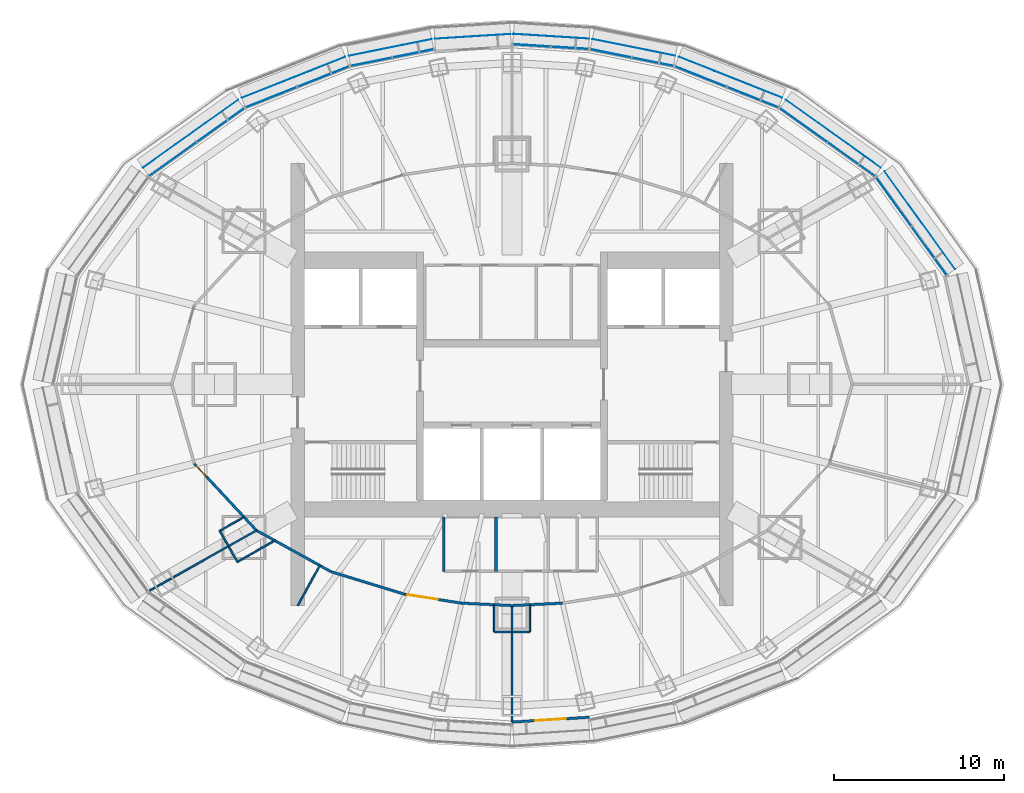
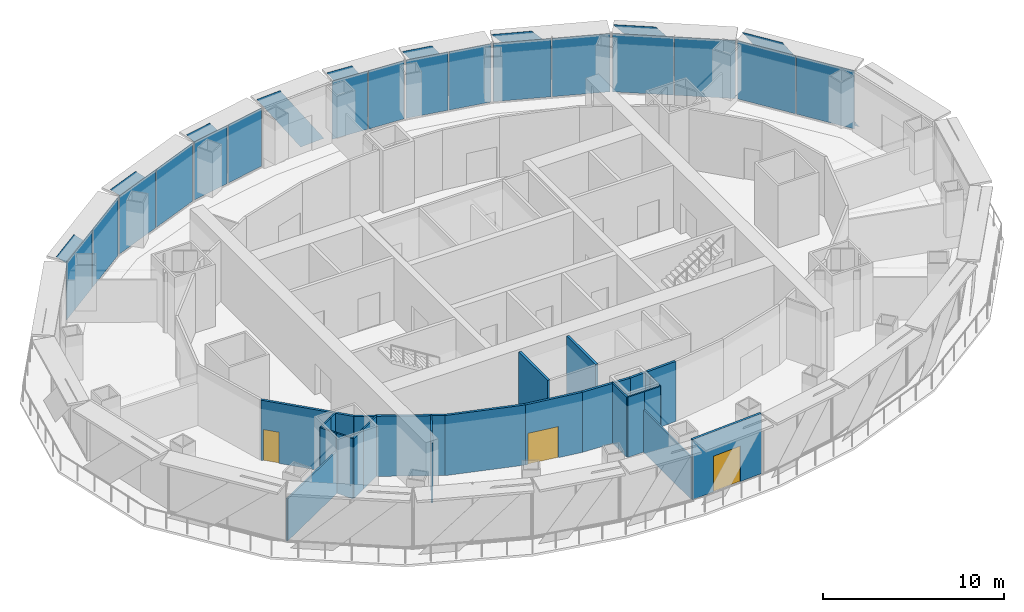
# One storey, part 10 of 17: 25 plates, 23 walls, 3 doors, 3 openings, 8 elements without a shape of their own.
"""IFC4 building model written with IfcOpenShell, lengths in metres."""

from ifc_helpers import new_model, si_unit, direction, frame, frame_2d, origin, origin_2d, place, context, subcontext, project, spatial, polyline, rectangle, outline, extrude, material, layer, layer_set, type_object, element, fill, aggregate, save


model = new_model("IFC4")

# Units and contexts
model_context = context("Model", 3, precision=1e-05, world=origin(), true_north=direction((0.0, 1.0)))
body_context = subcontext(model_context, "Body", "Model", "MODEL_VIEW")
ifc_project = project(units=[si_unit("LENGTHUNIT", "METRE"), si_unit("AREAUNIT", "SQUARE_METRE"), si_unit("VOLUMEUNIT", "CUBIC_METRE"), si_unit("PLANEANGLEUNIT", "RADIAN"), si_unit("MASSUNIT", "GRAM", prefix="KILO")], contexts=[model_context])

# Site, building, storey
site_placement = place(None, origin())
site = spatial("IfcSite", under=ifc_project, at=site_placement, CompositionType="ELEMENT")
building_placement = place(site_placement, origin())
building = spatial("IfcBuilding", under=site, at=building_placement, Name="Lantaw Convention Tower", CompositionType="ELEMENT")
storey_placement = place(building_placement, frame((0.0, 0.0, 199.0)))
storey = spatial("IfcBuildingStorey", under=building, at=storey_placement, Name="L46", CompositionType="ELEMENT", Elevation=199.0)

# Curtain wall, plates
ifc_material_1 = material(Name="Aluminium framed curtain wall", Category="aluminium")
curtain_wall_type = type_object("IfcCurtainWallType", Name="Office curtain wall high rise, pale aluminium", PredefinedType="USERDEFINED", material=ifc_material_1)
curtain_wall_1_placement = place(storey_placement, origin())
curtain_wall_1 = element("IfcCurtainWall", 1, at=curtain_wall_1_placement, inside=storey, type_object=curtain_wall_type, Name="Office curtain wall high rise, pale aluminium L46", ObjectType="UNITISED CURTAIN WALL", PredefinedType="USERDEFINED")
ifc_material_2 = material(Name="Clear insulating glass", Category="glass")
ifc_layer_1 = layer(ifc_material_2, 0.028076171875)
ifc_layer_set_1 = layer_set([ifc_layer_1], Name="CW-O2 panel 28")
plate_type_1 = type_object("IfcPlateType", Name="CW-O2 panel 28", PredefinedType="CURTAIN_PANEL", material=ifc_layer_set_1)
plate_1_placement = place(storey_placement, frame((24.527099609375, 7.852294921875, 0.06494140625), z_axis=(0.0, 0.0, 1.0), x_axis=(-0.585157643865, 0.810919559405, 0.0)))
plate_1 = element("IfcPlate", 2, at=plate_1_placement, type_object=plate_type_1, Name="CW-O2 panel 1.1", PredefinedType="CURTAIN_PANEL", context=body_context, shape_type="SweptSolid", body=[
    extrude(rectangle(XDim=3.500732421875, YDim=0.028076171875, at=origin_2d()), origin(), (0.0, 0.0, 1.0), 3.919921875),
])
plate_2_placement = place(storey_placement, frame((22.4404296875, 10.743896484375, 0.06494140625), z_axis=(0.0, 0.0, 1.0), x_axis=(-0.585157643865, 0.810919559405, 0.0)))
plate_2 = element("IfcPlate", 3, at=plate_2_placement, type_object=plate_type_1, Name="CW-O2 panel 2.1", PredefinedType="CURTAIN_PANEL", context=body_context, shape_type="SweptSolid", body=[
    extrude(rectangle(XDim=3.500732421875, YDim=0.028076171875, at=origin_2d()), origin(), (0.0, 0.0, 1.0), 3.919921875),
])
aggregate(curtain_wall_1, [plate_1, plate_2])

curtain_wall_2_placement = place(storey_placement, origin())
curtain_wall_2 = element("IfcCurtainWall", 4, at=curtain_wall_2_placement, inside=storey, type_object=curtain_wall_type, Name="Office curtain wall high rise, pale aluminium L46", ObjectType="UNITISED CURTAIN WALL", PredefinedType="USERDEFINED")
plate_3_placement = place(storey_placement, frame((19.947509765625, 13.23828125, 0.06494140625), z_axis=(0.0, 0.0, 1.0), x_axis=(-0.813672540482, 0.581323487281, 0.0)))
plate_3 = element("IfcPlate", 5, at=plate_3_placement, type_object=plate_type_1, Name="CW-O2 panel 1.1", PredefinedType="CURTAIN_PANEL", context=body_context, shape_type="SweptSolid", body=[
    extrude(rectangle(XDim=3.386474609375, YDim=0.028076171875, at=origin_2d()), origin(), (0.0, 0.0, 1.0), 3.919921875),
])
plate_4_placement = place(storey_placement, frame((17.13916015625, 15.24462890625, 0.06494140625), z_axis=(0.0, 0.0, 1.0), x_axis=(-0.813672540482, 0.581323487281, 0.0)))
plate_4 = element("IfcPlate", 6, at=plate_4_placement, type_object=plate_type_1, Name="CW-O2 panel 2.1", PredefinedType="CURTAIN_PANEL", context=body_context, shape_type="SweptSolid", body=[
    extrude(rectangle(XDim=3.386474609375, YDim=0.028076171875, at=origin_2d()), origin(), (0.0, 0.0, 1.0), 3.919921875),
])
aggregate(curtain_wall_2, [plate_3, plate_4])

curtain_wall_3_placement = place(storey_placement, origin())
curtain_wall_3 = element("IfcCurtainWall", 7, at=curtain_wall_3_placement, inside=storey, type_object=curtain_wall_type, Name="Office curtain wall high rise, pale aluminium L46", ObjectType="UNITISED CURTAIN WALL", PredefinedType="USERDEFINED")
plate_5_placement = place(storey_placement, frame((14.14990234375, 16.8837890625, 0.06494140625), z_axis=(0.0, 0.0, 1.0), x_axis=(-0.929761533743, 0.368162315252, 0.0)))
plate_5 = element("IfcPlate", 8, at=plate_5_placement, type_object=plate_type_1, Name="CW-O2 panel 1.1", PredefinedType="CURTAIN_PANEL", context=body_context, shape_type="SweptSolid", body=[
    extrude(rectangle(XDim=3.222900390625, YDim=0.028076171875, at=origin_2d()), origin(), (0.0, 0.0, 1.0), 3.919921875),
])
plate_6_placement = place(storey_placement, frame((11.0927734375, 18.094482421875, 0.06494140625), z_axis=(0.0, 0.0, 1.0), x_axis=(-0.929761533743, 0.368162315252, 0.0)))
plate_6 = element("IfcPlate", 9, at=plate_6_placement, type_object=plate_type_1, Name="CW-O2 panel 2.1", PredefinedType="CURTAIN_PANEL", context=body_context, shape_type="SweptSolid", body=[
    extrude(rectangle(XDim=3.222900390625, YDim=0.028076171875, at=origin_2d()), origin(), (0.0, 0.0, 1.0), 3.919921875),
])
aggregate(curtain_wall_3, [plate_5, plate_6])

curtain_wall_4_placement = place(storey_placement, origin())
curtain_wall_4 = element("IfcCurtainWall", 10, at=curtain_wall_4_placement, inside=storey, type_object=curtain_wall_type, Name="Office curtain wall high rise, pale aluminium L46", ObjectType="UNITISED CURTAIN WALL", PredefinedType="USERDEFINED")
plate_7_placement = place(storey_placement, frame((8.2724609375, 18.96533203125, 0.06494140625), z_axis=(0.0, 0.0, 1.0), x_axis=(-0.980366679695, 0.197183095987, 0.0)))
plate_7 = element("IfcPlate", 11, at=plate_7_placement, type_object=plate_type_1, Name="CW-O2 panel 1.1", PredefinedType="CURTAIN_PANEL", context=body_context, shape_type="SweptSolid", body=[
    extrude(rectangle(XDim=2.44384765625, YDim=0.028076171875, at=origin_2d()), origin(), (0.0, 0.0, 1.0), 3.919921875),
])
plate_8_placement = place(storey_placement, frame((5.81298828125, 19.4599609375, 0.06494140625), z_axis=(0.0, 0.0, 1.0), x_axis=(-0.980366679695, 0.197183095987, 0.0)))
plate_8 = element("IfcPlate", 12, at=plate_8_placement, type_object=plate_type_1, Name="CW-O2 panel 2.1", PredefinedType="CURTAIN_PANEL", context=body_context, shape_type="SweptSolid", body=[
    extrude(rectangle(XDim=2.44384765625, YDim=0.028076171875, at=origin_2d()), origin(), (0.0, 0.0, 1.0), 3.919921875),
])
aggregate(curtain_wall_4, [plate_7, plate_8])

curtain_wall_5_placement = place(storey_placement, origin())
curtain_wall_5 = element("IfcCurtainWall", 13, at=curtain_wall_5_placement, inside=storey, type_object=curtain_wall_type, Name="Office curtain wall high rise, pale aluminium L46", ObjectType="UNITISED CURTAIN WALL", PredefinedType="USERDEFINED")
plate_9_placement = place(storey_placement, frame((3.397216796875, 19.786376953125, 0.06494140625), z_axis=(0.0, 0.0, 1.0), x_axis=(-0.998028774865, 0.062757983884, 0.0)))
plate_9 = element("IfcPlate", 14, at=plate_9_placement, type_object=plate_type_1, Name="CW-O2 panel 1.1", PredefinedType="CURTAIN_PANEL", context=body_context, shape_type="SweptSolid", body=[
    extrude(rectangle(XDim=2.1826171875, YDim=0.028076171875, at=origin_2d()), origin(), (0.0, 0.0, 1.0), 3.919921875),
])
plate_10_placement = place(storey_placement, frame((1.154052734375, 19.927490234375, 0.06494140625), z_axis=(0.0, 0.0, 1.0), x_axis=(-0.998028774865, 0.062757983884, 0.0)))
plate_10 = element("IfcPlate", 15, at=plate_10_placement, type_object=plate_type_1, Name="CW-O2 panel 2.1", PredefinedType="CURTAIN_PANEL", context=body_context, shape_type="SweptSolid", body=[
    extrude(rectangle(XDim=2.1826171875, YDim=0.028076171875, at=origin_2d()), origin(), (0.0, 0.0, 1.0), 3.919921875),
])
aggregate(curtain_wall_5, [plate_9, plate_10])

curtain_wall_6_placement = place(storey_placement, origin())
curtain_wall_6 = element("IfcCurtainWall", 16, at=curtain_wall_6_placement, inside=storey, type_object=curtain_wall_type, Name="Office curtain wall high rise, pale aluminium L46", ObjectType="UNITISED CURTAIN WALL", PredefinedType="USERDEFINED")
plate_11_placement = place(storey_placement, frame((-5.81298828125, 19.4599609375, 0.06494140625), z_axis=(0.0, 0.0, 1.0), x_axis=(-0.980366679695, -0.197183095987, 0.0)))
plate_11 = element("IfcPlate", 17, at=plate_11_placement, type_object=plate_type_1, Name="CW-O2 panel 1.1", PredefinedType="CURTAIN_PANEL", context=body_context, shape_type="SweptSolid", body=[
    extrude(rectangle(XDim=2.44384765625, YDim=0.028076171875, at=origin_2d()), origin(), (0.0, 0.0, 1.0), 3.919921875),
])
plate_12_placement = place(storey_placement, frame((-8.2724609375, 18.96533203125, 0.06494140625), z_axis=(0.0, 0.0, 1.0), x_axis=(-0.980366679695, -0.197183095987, 0.0)))
plate_12 = element("IfcPlate", 18, at=plate_12_placement, type_object=plate_type_1, Name="CW-O2 panel 2.1", PredefinedType="CURTAIN_PANEL", context=body_context, shape_type="SweptSolid", body=[
    extrude(rectangle(XDim=2.44384765625, YDim=0.028076171875, at=origin_2d()), origin(), (0.0, 0.0, 1.0), 3.919921875),
])
aggregate(curtain_wall_6, [plate_11, plate_12])

curtain_wall_7_placement = place(storey_placement, origin())
curtain_wall_7 = element("IfcCurtainWall", 19, at=curtain_wall_7_placement, inside=storey, type_object=curtain_wall_type, Name="Office curtain wall high rise, pale aluminium L46", ObjectType="UNITISED CURTAIN WALL", PredefinedType="USERDEFINED")
plate_13_placement = place(storey_placement, frame((-11.0927734375, 18.094482421875, 0.06494140625), z_axis=(0.0, 0.0, 1.0), x_axis=(-0.929761533743, -0.368162315252, 0.0)))
plate_13 = element("IfcPlate", 20, at=plate_13_placement, type_object=plate_type_1, Name="CW-O2 panel 1.1", PredefinedType="CURTAIN_PANEL", context=body_context, shape_type="SweptSolid", body=[
    extrude(rectangle(XDim=3.222900390625, YDim=0.028076171875, at=origin_2d()), origin(), (0.0, 0.0, 1.0), 3.919921875),
])
plate_14_placement = place(storey_placement, frame((-14.14990234375, 16.8837890625, 0.06494140625), z_axis=(0.0, 0.0, 1.0), x_axis=(-0.929761533743, -0.368162315252, 0.0)))
plate_14 = element("IfcPlate", 21, at=plate_14_placement, type_object=plate_type_1, Name="CW-O2 panel 2.1", PredefinedType="CURTAIN_PANEL", context=body_context, shape_type="SweptSolid", body=[
    extrude(rectangle(XDim=3.222900390625, YDim=0.028076171875, at=origin_2d()), origin(), (0.0, 0.0, 1.0), 3.919921875),
])
aggregate(curtain_wall_7, [plate_13, plate_14])

curtain_wall_8_placement = place(storey_placement, origin())
curtain_wall_8 = element("IfcCurtainWall", 22, at=curtain_wall_8_placement, inside=storey, type_object=curtain_wall_type, Name="Office curtain wall high rise, pale aluminium L46", ObjectType="UNITISED CURTAIN WALL", PredefinedType="USERDEFINED")
plate_15_placement = place(storey_placement, frame((-17.13916015625, 15.24462890625, 0.06494140625), z_axis=(0.0, 0.0, 1.0), x_axis=(-0.813672540482, -0.581323487281, 0.0)))
plate_15 = element("IfcPlate", 23, at=plate_15_placement, type_object=plate_type_1, Name="CW-O2 panel 1.1", PredefinedType="CURTAIN_PANEL", context=body_context, shape_type="SweptSolid", body=[
    extrude(rectangle(XDim=3.386474609375, YDim=0.028076171875, at=origin_2d()), origin(), (0.0, 0.0, 1.0), 3.919921875),
])
plate_16_placement = place(storey_placement, frame((-19.947509765625, 13.23828125, 0.06494140625), z_axis=(0.0, 0.0, 1.0), x_axis=(-0.813672540482, -0.581323487281, 0.0)))
plate_16 = element("IfcPlate", 24, at=plate_16_placement, type_object=plate_type_1, Name="CW-O2 panel 2.1", PredefinedType="CURTAIN_PANEL", context=body_context, shape_type="SweptSolid", body=[
    extrude(rectangle(XDim=3.386474609375, YDim=0.028076171875, at=origin_2d()), origin(), (0.0, 0.0, 1.0), 3.919921875),
])
aggregate(curtain_wall_8, [plate_15, plate_16])

# Plates
ifc_material_3 = material(Name="Perforated aluminium sheet, pale silver finish", Category="aluminium")
ifc_layer_2 = layer(ifc_material_3, 0.006103515625)
ifc_layer_set_2 = layer_set([ifc_layer_2], Name="Perforated aluminium solar SCREEN panel")
plate_type_2 = type_object("IfcPlateType", Name="Perforated aluminium solar SCREEN panel", PredefinedType="SHEET", material=ifc_layer_set_2)
plate_17_placement = place(storey_placement, frame((26.051513671875, 6.775390625, -0.175048828125), z_axis=(-0.810892289695, -0.585195432394, 2.0458414e-05), x_axis=(-0.585195432516, 0.810892289865, 0.0)))
element("IfcPlate", 25, at=plate_17_placement, inside=storey, type_object=plate_type_2, Name="Solar SCREEN panel", PredefinedType="SHEET", context=body_context, shape_type="SweptSolid", body=[
    extrude(outline(polyline([(0.0, 0.0), (2.446848840683286, 6.776263578034403e-21), (7.09661046667572, -4.340087891533265), (4.649761625992435, -4.340087891533265), (0.0, 0.0)])), origin(), (0.0, 0.0, -1.0), 0.006103515625),
])
plate_18_placement = place(storey_placement, frame((21.689697265625, 12.73828125, -0.175048828125), z_axis=(0.581330799771, 0.813667316006, 1.0072414e-05), x_axis=(-0.813667316047, 0.5813307998, 3.02e-10)))
element("IfcPlate", 26, at=plate_18_placement, inside=storey, type_object=plate_type_2, Name="Solar SCREEN panel", PredefinedType="SHEET", context=body_context, shape_type="SweptSolid", body=[
    extrude(outline(polyline([(0.0, 0.0), (2.3691416428668504, 0.0), (6.867806096558412, 4.34008788877314), (4.498863102938644, 4.340087890202622), (0.0, 0.0)])), origin(), (0.0, 0.0, -1.0), 0.006103515625),
])
plate_19_placement = place(storey_placement, frame((15.88525390625, 16.8486328125, -0.175048828125), z_axis=(-0.368116612072, -0.929779629081, 3.5533269e-05), x_axis=(-0.929779629668, 0.368116612304, -1.786e-09)))
element("IfcPlate", 27, at=plate_19_placement, inside=storey, type_object=plate_type_2, Name="Solar SCREEN panel", PredefinedType="SHEET", context=body_context, shape_type="SweptSolid", body=[
    extrude(outline(polyline([(0.0, 0.0), (2.2578720663572183, -3.3881317890172014e-21), (6.540904465438181, -4.340087905048178), (4.282942526861161, -4.340087896982072), (0.0, 0.0)])), origin(), (0.0, 0.0, -1.0), 0.006103515625),
])
plate_20_placement = place(storey_placement, frame((9.6044921875, 19.315673828125, -0.175048828125), z_axis=(-0.197162069853, -0.980370908428, 1.0904083e-05), x_axis=(-0.980370908486, 0.197162069865, -7.55e-10)))
element("IfcPlate", 28, at=plate_20_placement, inside=storey, type_object=plate_type_2, Name="Solar SCREEN panel", PredefinedType="SHEET", context=body_context, shape_type="SweptSolid", body=[
    extrude(outline(polyline([(0.0, 0.0), (1.7279870169553606, 8.470329472543003e-22), (4.982578440602753, -4.340087894645749), (3.2545432883764285, -4.340087892035838), (0.0, 0.0)])), origin(), (0.0, 0.0, -1.0), 0.006103515625),
])
plate_21_placement = place(storey_placement, frame((4.539306640625, 20.32177734375, -0.175048828125), z_axis=(-0.062672387577, -0.998034151922, 5.858668e-05), x_axis=(-0.998034153635, 0.062672387685, 0.0)))
element("IfcPlate", 29, at=plate_21_placement, inside=storey, type_object=plate_type_2, Name="Solar SCREEN panel", PredefinedType="SHEET", context=body_context, shape_type="SweptSolid", body=[
    extrude(outline(polyline([(0.0, 0.0), (1.5504111513762302, 8.470329472543003e-22), (4.460200019412434, -4.340087898073457), (2.9097888680362036, -4.340087898073457), (0.0, 0.0)])), origin(), (0.0, 0.0, -1.0), 0.006103515625),
])
plate_22_placement = place(storey_placement, frame((-0.087890625, 20.6015625, -0.175048828125), z_axis=(-0.062672387577, 0.998034151922, 5.858668e-05), x_axis=(-0.998034153635, -0.062672387685, 0.0)))
element("IfcPlate", 30, at=plate_22_placement, inside=storey, type_object=plate_type_2, Name="Solar SCREEN panel", PredefinedType="SHEET", context=body_context, shape_type="SweptSolid", body=[
    extrude(outline(polyline([(0.0, 0.0), (1.5504111513762302, -8.470329472543003e-22), (4.460200019412434, 4.340087898073457), (2.9097888680362036, 4.340087898073457), (0.0, 0.0)])), origin(), (0.0, 0.0, -1.0), 0.006103515625),
])
plate_23_placement = place(storey_placement, frame((-4.7197265625, 20.298095703125, -0.175048828125), z_axis=(-0.197162069853, 0.980370908428, 1.0904083e-05), x_axis=(-0.980370908486, -0.197162069865, 7.55e-10)))
element("IfcPlate", 31, at=plate_23_placement, inside=storey, type_object=plate_type_2, Name="Solar SCREEN panel", PredefinedType="SHEET", context=body_context, shape_type="SweptSolid", body=[
    extrude(outline(polyline([(0.0, 0.0), (1.7280351522263238, 4.235164736271502e-22), (4.982578447157737, 4.34008788712039), (3.2545914302023755, 4.340087889730228), (0.0, 0.0)])), origin(), (0.0, 0.0, -1.0), 0.006103515625),
])
plate_24_placement = place(storey_placement, frame((-9.8037109375, 19.256591796875, -0.175048828125), z_axis=(-0.368116612072, 0.929779629081, 3.5533269e-05), x_axis=(-0.929779629668, -0.368116612304, 1.786e-09)))
element("IfcPlate", 32, at=plate_24_placement, inside=storey, type_object=plate_type_2, Name="Solar SCREEN panel", PredefinedType="SHEET", context=body_context, shape_type="SweptSolid", body=[
    extrude(outline(polyline([(0.0, 0.0), (2.257961938577019, 0.0), (6.540904480942253, 4.34008788168214), (4.283032414585035, 4.340087889747925), (0.0, 0.0)])), origin(), (0.0, 0.0, -1.0), 0.006103515625),
])
plate_25_placement = place(storey_placement, frame((-16.1015625, 16.730712890625, -0.175048828125), z_axis=(0.581330799771, -0.813667316006, 1.0072414e-05), x_axis=(-0.813667316047, -0.5813307998, -3.02e-10)))
element("IfcPlate", 33, at=plate_25_placement, inside=storey, type_object=plate_type_2, Name="Solar SCREEN panel", PredefinedType="SHEET", context=body_context, shape_type="SweptSolid", body=[
    extrude(outline(polyline([(0.0, 0.0), (2.3689429936197683, -1.6940658945086007e-21), (6.867806093939489, -4.340087892917353), (4.498664451072639, -4.340087891487751), (0.0, 0.0)])), origin(), (0.0, 0.0, -1.0), 0.006103515625),
])

# Walls
ifc_material_4 = material(Name="Fire-rated board casing on steel studs", Category="steel")
ifc_layer_3 = layer(ifc_material_4, 0.10009765625)
ifc_layer_set_3 = layer_set([ifc_layer_3], Name="Casing wall 100 EI 120")
wall_type_1 = type_object("IfcWallType", Name="Casing wall 100 EI 120", PredefinedType="PARTITIONING", material=ifc_layer_set_3)
wall_1_placement = place(storey_placement, frame((1.050048828125, -12.948974609375, 0.0), z_axis=(0.0, 0.0, 1.0), x_axis=(0.0, -1.0, 0.0)))
element("IfcWall", 34, at=wall_1_placement, inside=storey, type_object=wall_type_1, Name="Casing wall 100", PredefinedType="PARTITIONING", context=body_context, shape_type="SweptSolid", body=[
    extrude(rectangle(XDim=0.551025390625, YDim=0.10009765625, at=frame_2d((0.275390625, 0.0))), origin(), (0.0, 0.0, 1.0), 4.050048828125),
])
for number, where, z_axis, x_axis, name in (
    (35, (1.050048828125, -13.5, 0.0), (0.0, 0.0, 1.0), (0.0, -1.0, 0.0), "Casing wall 100"),
    (36, (1.050048828125, -14.550048828125, 0.0), (0.0, 0.0, 1.0), (-1.0, 0.0, 0.0), "Casing wall 100"),
    (37, (0.0, -14.550048828125, 0.0), (0.0, 0.0, 1.0), (-1.0, 0.0, 0.0), "Casing wall 100"),
):
    element("IfcWall", number, at=place(storey_placement, frame(where, z_axis=z_axis, x_axis=x_axis)), inside=storey, type_object=wall_type_1, Name=name, PredefinedType="PARTITIONING", context=body_context, shape_type="SweptSolid", body=[
        extrude(rectangle(XDim=1.050048828125, YDim=0.10009765625, at=frame_2d((0.52490234375, 0.0))), origin(), (0.0, 0.0, 1.0), 4.050048828125),
    ])
wall_2_placement = place(storey_placement, frame((-1.050048828125, -14.550048828125, 0.0), z_axis=(0.0, 0.0, 1.0), x_axis=(0.0, 1.0, 0.0)))
element("IfcWall", 38, at=wall_2_placement, inside=storey, type_object=wall_type_1, Name="Casing wall 100", PredefinedType="PARTITIONING", context=body_context, shape_type="SweptSolid", body=[
    extrude(rectangle(XDim=1.60107421875, YDim=0.10009765625, at=frame_2d((0.800537109375, 0.0))), origin(), (0.0, 0.0, 1.0), 4.050048828125),
])
wall_3_placement = place(storey_placement, frame((-16.140625, -10.4326171875, 0.0), z_axis=(0.0, 0.0, 1.0), x_axis=(-0.496189017888, 0.868214523334, 0.0)))
element("IfcWall", 39, at=wall_3_placement, inside=storey, type_object=wall_type_1, Name="Casing wall 100", PredefinedType="PARTITIONING", context=body_context, shape_type="SweptSolid", body=[
    extrude(rectangle(XDim=1.050048828125, YDim=0.10009765625, at=frame_2d((0.52490234375, 0.0))), origin(), (0.0, 0.0, 1.0), 4.050048828125),
])
wall_4_placement = place(storey_placement, frame((-16.667724609375, -9.51025390625, 0.0), z_axis=(0.0, 0.0, 1.0), x_axis=(-0.496214951439, 0.868199701664, 0.0)))
element("IfcWall", 40, at=wall_4_placement, inside=storey, type_object=wall_type_1, Name="Casing wall 100", PredefinedType="PARTITIONING", context=body_context, shape_type="SweptSolid", body=[
    extrude(rectangle(XDim=1.03759765625, YDim=0.10009765625, at=frame_2d((0.518798828125, 0.0))), origin(), (0.0, 0.0, 1.0), 4.050048828125),
])
wall_5_placement = place(storey_placement, frame((-17.1826171875, -8.609375, 0.0), z_axis=(0.0, 0.0, 1.0), x_axis=(0.868214523334, 0.496189017888, 0.0)))
element("IfcWall", 41, at=wall_5_placement, inside=storey, type_object=wall_type_1, Name="Casing wall 100", PredefinedType="PARTITIONING", context=body_context, shape_type="SweptSolid", body=[
    extrude(rectangle(XDim=1.050048828125, YDim=0.10009765625, at=frame_2d((0.52490234375, 0.0))), origin(), (0.0, 0.0, 1.0), 4.050048828125),
])
wall_6_placement = place(storey_placement, frame((-16.27099609375, -8.08837890625, 0.0), z_axis=(0.0, 0.0, 1.0), x_axis=(0.868318998063, 0.496006166901, 0.0)))
element("IfcWall", 42, at=wall_6_placement, inside=storey, type_object=wall_type_1, Name="Casing wall 100", PredefinedType="PARTITIONING", context=body_context, shape_type="SweptSolid", body=[
    extrude(rectangle(XDim=0.593994140625, YDim=0.10009765625, at=frame_2d((0.296875, 0.0))), origin(), (0.0, 0.0, 1.0), 4.050048828125),
])
wall_7_placement = place(storey_placement, frame((-13.945556640625, -9.17822265625, 0.0), z_axis=(0.0, 0.0, 1.0), x_axis=(-0.868243142124, -0.496138938357, 0.0)))
element("IfcWall", 43, at=wall_7_placement, inside=storey, type_object=wall_type_1, Name="Casing wall 100", PredefinedType="PARTITIONING", context=body_context, shape_type="SweptSolid", body=[
    extrude(rectangle(XDim=1.478271484375, YDim=0.10009765625, at=frame_2d((0.7392578125, 0.0))), origin(), (0.0, 0.0, 1.0), 4.050048828125),
])
wall_8_placement = place(storey_placement, frame((-15.22900390625, -9.91162109375, 0.0), z_axis=(0.0, 0.0, 1.0), x_axis=(-0.868214523334, -0.496189017888, 0.0)))
element("IfcWall", 44, at=wall_8_placement, inside=storey, type_object=wall_type_1, Name="Casing wall 100", PredefinedType="PARTITIONING", context=body_context, shape_type="SweptSolid", body=[
    extrude(rectangle(XDim=1.050048828125, YDim=0.10009765625, at=frame_2d((0.52490234375, 0.0))), origin(), (0.0, 0.0, 1.0), 4.050048828125),
])

# Wall, opening, door
ifc_material_5 = material(Name="Gypsum board on steel studs, fire rated", Category="steel")
ifc_layer_4 = layer(ifc_material_5, 0.14990234375)
ifc_layer_set_4 = layer_set([ifc_layer_4], Name="Corridor wall 150 EI 60")
wall_type_2 = type_object("IfcWallType", Name="Corridor wall 150 EI 60", PredefinedType="PARTITIONING", material=ifc_layer_set_4)
wall_9_placement = place(storey_placement, frame((-18.67333984375, -4.65576171875, 0.0), z_axis=(0.0, 0.0, 1.0), x_axis=(0.681014838837, -0.732269615158, 0.0)))
wall_9 = element("IfcWall", 45, at=wall_9_placement, inside=storey, type_object=wall_type_2, Name="Corridor wall 150", PredefinedType="PARTITIONING", context=body_context, shape_type="SweptSolid", body=[
    extrude(rectangle(XDim=5.363525390625, YDim=0.14990234375, at=frame_2d((2.681640625, 0.0))), origin(), (0.0, 0.0, 1.0), 4.050048828125),
])
opening_1_placement = place(wall_9_placement, frame((0.14990234375, 0.0, 0.0)))
opening_1 = element("IfcOpeningElement", 46, at=opening_1_placement, cuts=wall_9, Name="Opening L46.26", PredefinedType="OPENING", context=body_context, shape_type="SweptSolid", body=[
    extrude(rectangle(XDim=0.89990234375, YDim=2.10009765625, at=frame_2d((0.449951171875, 1.050048828125))), frame((0.0, 0.0849609375, 0.0), z_axis=(0.0, -1.0, 0.0), x_axis=(1.0, 0.0, 0.0)), (0.0, 0.0, 1.0), 0.169921875),
])
ifc_material_6 = material(Name="Steel, fire rated", Category="steel")
door_type_1 = type_object("IfcDoorType", Name="Office door 900 FD30", OperationType="SINGLE_SWING_LEFT", PredefinedType="DOOR", material=ifc_material_6)
door_1_placement = place(opening_1_placement, origin())
door_1 = element("IfcDoor", 47, at=door_1_placement, inside=storey, type_object=door_type_1, Name="Open office door", OperationType="SINGLE_SWING_LEFT", OverallHeight=2.10009765625, OverallWidth=0.89990234375, PredefinedType="DOOR", context=body_context, shape_type="SweptSolid", body=[
    extrude(rectangle(XDim=0.89990234375, YDim=2.10009765625, at=frame_2d((0.449951171875, 1.050048828125))), frame((0.0, 0.02490234375, 0.0), z_axis=(0.0, -1.0, 0.0), x_axis=(1.0, 0.0, 0.0)), (0.0, 0.0, 1.0), 0.050048828125),
])
fill(opening_1, door_1)

# Walls
wall_10_placement = place(storey_placement, frame((-15.020751953125, -8.583251953125, 0.0), z_axis=(0.0, 0.0, 1.0), x_axis=(0.875044572696, -0.484042349176, 0.0)))
element("IfcWall", 48, at=wall_10_placement, inside=storey, type_object=wall_type_2, Name="Corridor wall 150", PredefinedType="PARTITIONING", context=body_context, shape_type="SweptSolid", body=[
    extrude(rectangle(XDim=5.0146484375, YDim=0.14990234375, at=frame_2d((2.50732421875, 0.0))), origin(), (0.0, 0.0, 1.0), 4.050048828125),
])
wall_11_placement = place(storey_placement, frame((-10.6328125, -11.010498046875, 0.0), z_axis=(0.0, 0.0, 1.0), x_axis=(0.956185837153, -0.292760388079, 0.0)))
element("IfcWall", 49, at=wall_11_placement, inside=storey, type_object=wall_type_2, Name="Corridor wall 150", PredefinedType="PARTITIONING", context=body_context, shape_type="SweptSolid", body=[
    extrude(rectangle(XDim=4.5439453125, YDim=0.14990234375, at=frame_2d((2.27197265625, 0.0))), origin(), (0.0, 0.0, 1.0), 4.050048828125),
])

# Wall, opening, door
wall_12_placement = place(storey_placement, frame((-6.287841796875, -12.3408203125, 0.0), z_axis=(0.0, 0.0, 1.0), x_axis=(0.988174283057, -0.153334882869, 0.0)))
wall_12 = element("IfcWall", 50, at=wall_12_placement, inside=storey, type_object=wall_type_2, Name="Corridor wall 150", PredefinedType="PARTITIONING", context=body_context, shape_type="SweptSolid", body=[
    extrude(rectangle(XDim=3.359619140625, YDim=0.14990234375, at=frame_2d((1.6796875, 0.0))), origin(), (0.0, 0.0, 1.0), 4.050048828125),
])
opening_2_placement = place(wall_12_placement, frame((0.14990234375, 0.0, 0.0)))
opening_2 = element("IfcOpeningElement", 51, at=opening_2_placement, cuts=wall_12, Name="Opening L46.27", PredefinedType="OPENING", context=body_context, shape_type="SweptSolid", body=[
    extrude(rectangle(XDim=1.800048828125, YDim=2.10009765625, at=frame_2d((0.89990234375, 1.050048828125))), frame((0.0, 0.0849609375, 0.0), z_axis=(0.0, -1.0, 0.0), x_axis=(1.0, 0.0, 0.0)), (0.0, 0.0, 1.0), 0.169921875),
])
door_type_2 = type_object("IfcDoorType", Name="Office double door 1800 FD30", OperationType="DOUBLE_DOOR_DOUBLE_SWING", PredefinedType="DOOR", material=ifc_material_6)
door_2_placement = place(opening_2_placement, origin())
door_2 = element("IfcDoor", 52, at=door_2_placement, inside=storey, type_object=door_type_2, Name="Open office door", OperationType="DOUBLE_DOOR_DOUBLE_SWING", OverallHeight=2.10009765625, OverallWidth=1.800048828125, PredefinedType="DOOR", context=body_context, shape_type="SweptSolid", body=[
    extrude(rectangle(XDim=1.800048828125, YDim=2.10009765625, at=frame_2d((0.89990234375, 1.050048828125))), frame((0.0, 0.02490234375, 0.0), z_axis=(0.0, -1.0, 0.0), x_axis=(1.0, 0.0, 0.0)), (0.0, 0.0, 1.0), 0.050048828125),
])
fill(opening_2, door_2)

# Walls
for number, where, z_axis, x_axis, name in (
    (53, (-2.968017578125, -12.85595703125, 0.0), (0.0, 0.0, 1.0), (0.998824412818, -0.04847465687, 0.0), "Corridor wall 150"),
    (54, (0.0, -13.0, 0.0), (0.0, 0.0, 1.0), (0.998824412818, 0.04847465687, 0.0), "Corridor wall 150"),
):
    element("IfcWall", number, at=place(storey_placement, frame(where, z_axis=z_axis, x_axis=x_axis)), inside=storey, type_object=wall_type_2, Name=name, PredefinedType="PARTITIONING", context=body_context, shape_type="SweptSolid", body=[
        extrude(rectangle(XDim=2.971435546875, YDim=0.14990234375, at=frame_2d((1.48583984375, 0.0))), origin(), (0.0, 0.0, 1.0), 4.050048828125),
    ])

# Wall, opening, door
ifc_material_7 = material(Name="Aluminium framed glazing", Category="aluminium")
ifc_layer_5 = layer(ifc_material_7, 0.14990234375)
ifc_layer_set_5 = layer_set([ifc_layer_5], Name="Glazed entrance screen 150")
wall_type_3 = type_object("IfcWallType", Name="Glazed entrance screen 150", PredefinedType="ELEMENTEDWALL", material=ifc_layer_set_5)
wall_13_placement = place(storey_placement, frame((-0.009521484375, -19.850341796875, 0.0), z_axis=(0.0, 0.0, 1.0), x_axis=(0.99802980739, 0.062741561673, 0.0)))
wall_13 = element("IfcWall", 55, at=wall_13_placement, inside=storey, type_object=wall_type_3, Name="Glazed entrance screen", PredefinedType="ELEMENTEDWALL", context=body_context, shape_type="SweptSolid", body=[
    extrude(rectangle(XDim=4.560546875, YDim=0.14990234375, at=frame_2d((2.2802734375, 0.0))), origin(), (0.0, 0.0, 1.0), 4.050048828125),
])
opening_3_placement = place(wall_13_placement, frame((1.380126953125, 0.0, 0.0)))
opening_3 = element("IfcOpeningElement", 56, at=opening_3_placement, cuts=wall_13, Name="Opening L46.E18", PredefinedType="OPENING", context=body_context, shape_type="SweptSolid", body=[
    extrude(rectangle(XDim=1.800048828125, YDim=2.39990234375, at=frame_2d((0.89990234375, 1.199951171875))), frame((0.0, 0.0849609375, 0.0), z_axis=(0.0, -1.0, 0.0), x_axis=(1.0, 0.0, 0.0)), (0.0, 0.0, 1.0), 0.169921875),
])
ifc_material_8 = material(Name="Aluminium and glass", Category="aluminium")
door_type_3 = type_object("IfcDoorType", Name="Terrace door 1800", OperationType="DOUBLE_DOOR_DOUBLE_SWING", PredefinedType="DOOR", material=ifc_material_8)
door_3_placement = place(opening_3_placement, origin())
door_3 = element("IfcDoor", 57, at=door_3_placement, inside=storey, type_object=door_type_3, Name="Terrace door", OperationType="DOUBLE_DOOR_DOUBLE_SWING", OverallHeight=2.39990234375, OverallWidth=1.800048828125, PredefinedType="DOOR", context=body_context, shape_type="SweptSolid", body=[
    extrude(rectangle(XDim=1.800048828125, YDim=2.39990234375, at=frame_2d((0.89990234375, 1.199951171875))), frame((0.0, 0.02490234375, 0.0), z_axis=(0.0, -1.0, 0.0), x_axis=(1.0, 0.0, 0.0)), (0.0, 0.0, 1.0), 0.050048828125),
])
fill(opening_3, door_3)

# Walls
ifc_material_9 = material(Name="Gypsum board on steel studs, acoustic", Category="steel")
ifc_layer_6 = layer(ifc_material_9, 0.10009765625)
ifc_layer_set_6 = layer_set([ifc_layer_6], Name="Office partition 100")
wall_type_4 = type_object("IfcWallType", Name="Office partition 100", PredefinedType="PARTITIONING", material=ifc_layer_set_6)
wall_14_placement = place(storey_placement, frame((-21.3583984375, -12.149658203125, 0.0), z_axis=(0.0, 0.0, 1.0), x_axis=(0.871488555694, 0.490415841195, 0.0)))
element("IfcWall", 58, at=wall_14_placement, inside=storey, type_object=wall_type_4, Name="Office partition 100", PredefinedType="PARTITIONING", context=body_context, shape_type="SweptSolid", body=[
    extrude(rectangle(XDim=7.272216796875, YDim=0.10009765625, at=frame_2d((3.63623046875, 0.0))), origin(), (0.0, 0.0, 1.0), 2.85009765625),
])
wall_15_placement = place(storey_placement, frame((0.0, -19.82470703125, 0.0), z_axis=(0.0, 0.0, 1.0), x_axis=(0.0, 1.0, 0.0)))
element("IfcWall", 59, at=wall_15_placement, inside=storey, type_object=wall_type_4, Name="Office partition 100", PredefinedType="PARTITIONING", context=body_context, shape_type="SweptSolid", body=[
    extrude(rectangle(XDim=6.82470703125, YDim=0.10009765625, at=frame_2d((3.412353515625, 0.0))), origin(), (0.0, 0.0, 1.0), 2.85009765625),
])
wall_16_placement = place(storey_placement, frame((-12.60009765625, -13.0, 0.0), z_axis=(0.0, 0.0, 1.0), x_axis=(0.484102737563, 0.875011165348, 0.0)))
element("IfcWall", 60, at=wall_16_placement, inside=storey, type_object=wall_type_4, Name="Office partition 100", PredefinedType="PARTITIONING", context=body_context, shape_type="SweptSolid", body=[
    extrude(rectangle(XDim=2.693115234375, YDim=0.10009765625, at=frame_2d((1.3466796875, 0.0))), origin(), (0.0, 0.0, 1.0), 4.050048828125),
])
ifc_material_10 = material(Name="Concrete blockwork", Category="masonry")
ifc_layer_7 = layer(ifc_material_10, 0.14990234375)
ifc_layer_set_7 = layer_set([ifc_layer_7], Name="WC wall 150")
wall_type_5 = type_object("IfcWallType", Name="WC wall 150", PredefinedType="SOLIDWALL", material=ifc_layer_set_7)
for number, where, z_axis, x_axis, name in (
    (61, (-4.0, -7.800048828125, 0.0), (0.0, 0.0, 1.0), (0.0, -1.0, 0.0), "WC wall 150"),
    (62, (-0.93994140625, -7.800048828125, 0.0), (0.0, 0.0, 1.0), (0.0, -1.0, 0.0), "WC wall 150"),
):
    element("IfcWall", number, at=place(storey_placement, frame(where, z_axis=z_axis, x_axis=x_axis)), inside=storey, type_object=wall_type_5, Name=name, PredefinedType="SOLIDWALL", context=body_context, shape_type="SweptSolid", body=[
        extrude(rectangle(XDim=3.18701171875, YDim=0.14990234375, at=frame_2d((1.593505859375, 0.0))), origin(), (0.0, 0.0, 1.0), 4.050048828125),
    ])

save(model, "model.ifc")
